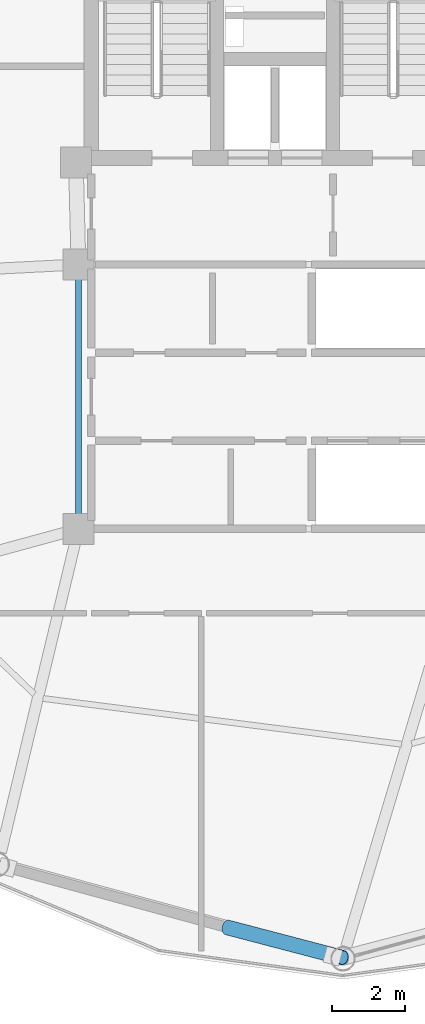
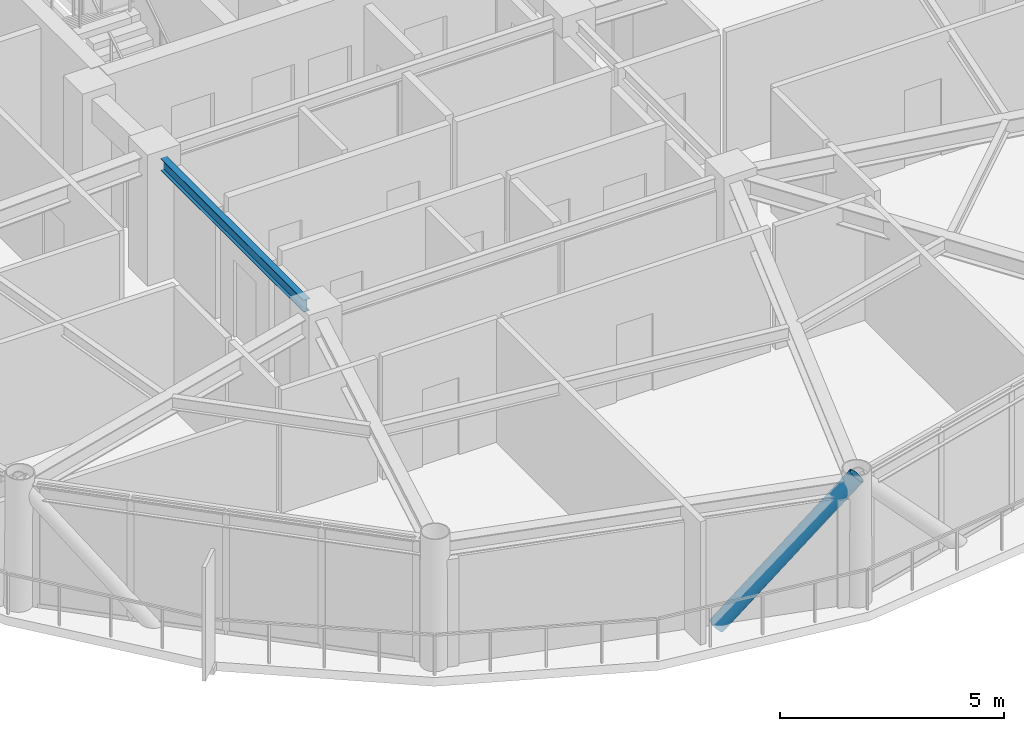
# One storey, part 6 of 26: 1 beam, 1 member.
"""IFC4 building model written with IfcOpenShell, lengths in metres."""

from ifc_helpers import new_model, si_unit, direction, frame, origin, origin_2d, place, context, subcontext, project, spatial, hollow_circle, i_section, extrude, material, material_profile, profile_set, type_object, element, save


model = new_model("IFC4")

# Units and contexts
model_context = context("Model", 3, precision=1e-05, world=origin(), true_north=direction((0.0, 1.0)))
body_context = subcontext(model_context, "Body", "Model", "MODEL_VIEW")
ifc_project = project(units=[si_unit("LENGTHUNIT", "METRE"), si_unit("AREAUNIT", "SQUARE_METRE"), si_unit("VOLUMEUNIT", "CUBIC_METRE"), si_unit("PLANEANGLEUNIT", "RADIAN"), si_unit("MASSUNIT", "GRAM", prefix="KILO")], contexts=[model_context])

# Site, building, storey
site_placement = place(None, origin())
site = spatial("IfcSite", under=ifc_project, at=site_placement, CompositionType="ELEMENT")
building_placement = place(site_placement, origin())
building = spatial("IfcBuilding", under=site, at=building_placement, Name="Varnakorn Sky Granary", CompositionType="ELEMENT")
storey_placement = place(building_placement, frame((0.0, 0.0, 222.0)))
storey = spatial("IfcBuildingStorey", under=building, at=storey_placement, Name="L56", CompositionType="ELEMENT", Elevation=222.0)

# Beam
ifc_material_1 = material(Name="Steel S355JR", Category="steel")
ifc_material_profile_1 = material_profile(ifc_material_1, i_section(OverallWidth=0.159912109375, OverallDepth=0.330078125, WebThickness=0.007568359375, FlangeThickness=0.011474609375, at=origin_2d()), Name="IPE 330")
ifc_profile_set_1 = profile_set([ifc_material_profile_1], Name="Steel S355JR")
beam_type = type_object("IfcBeamType", Name="BM-SEC-Z4", PredefinedType="BEAM", material=ifc_profile_set_1)
beam_placement = place(storey_placement, frame((-2.35009765625, 0.195068359375, 3.195068359375), z_axis=(0.0, -1.0, 0.0), x_axis=(1.0, 0.0, 0.0)))
element("IfcBeam", 1, at=beam_placement, inside=storey, type_object=beam_type, Name="Core Spine Framing Beam 3 L56", PredefinedType="BEAM", context=body_context, shape_type="SweptSolid", body=[
    extrude(i_section(OverallWidth=0.159912109375, OverallDepth=0.330078125, WebThickness=0.007568359375, FlangeThickness=0.011474609375, at=origin_2d()), origin(), (0.0, 0.0, 1.0), 6.39013671875),
])

# Member
ifc_material_2 = material(Name="Steel S460M", Category="steel")
ifc_material_profile_2 = material_profile(ifc_material_2, hollow_circle(Radius=0.203125, WallThickness=0.01611328125, at=origin_2d()), Name="CHS 406.4x16")
ifc_profile_set_2 = profile_set([ifc_material_profile_2], Name="Steel S460M")
member_type = type_object("IfcMemberType", Name="MB-DIAG-T4", PredefinedType="BRACE", material=ifc_profile_set_2)
member_placement = place(storey_placement, frame((1.7109375, -17.453369140625, -0.1298828125), z_axis=(0.658713381549, -0.172593356855, 0.732330672674), x_axis=(0.253459967207, 0.967345876625, 0.0)))
element("IfcMember", 2, at=member_placement, inside=storey, type_object=member_type, Name="Perimeter CHS Diagrid Brace DG09 L56", PredefinedType="BRACE", context=body_context, shape_type="SweptSolid", body=[
    extrude(hollow_circle(Radius=0.203125, WallThickness=0.01611328125, at=origin_2d()), origin(), (0.0, 0.0, 1.0), 4.765625),
])

save(model, "model.ifc")
